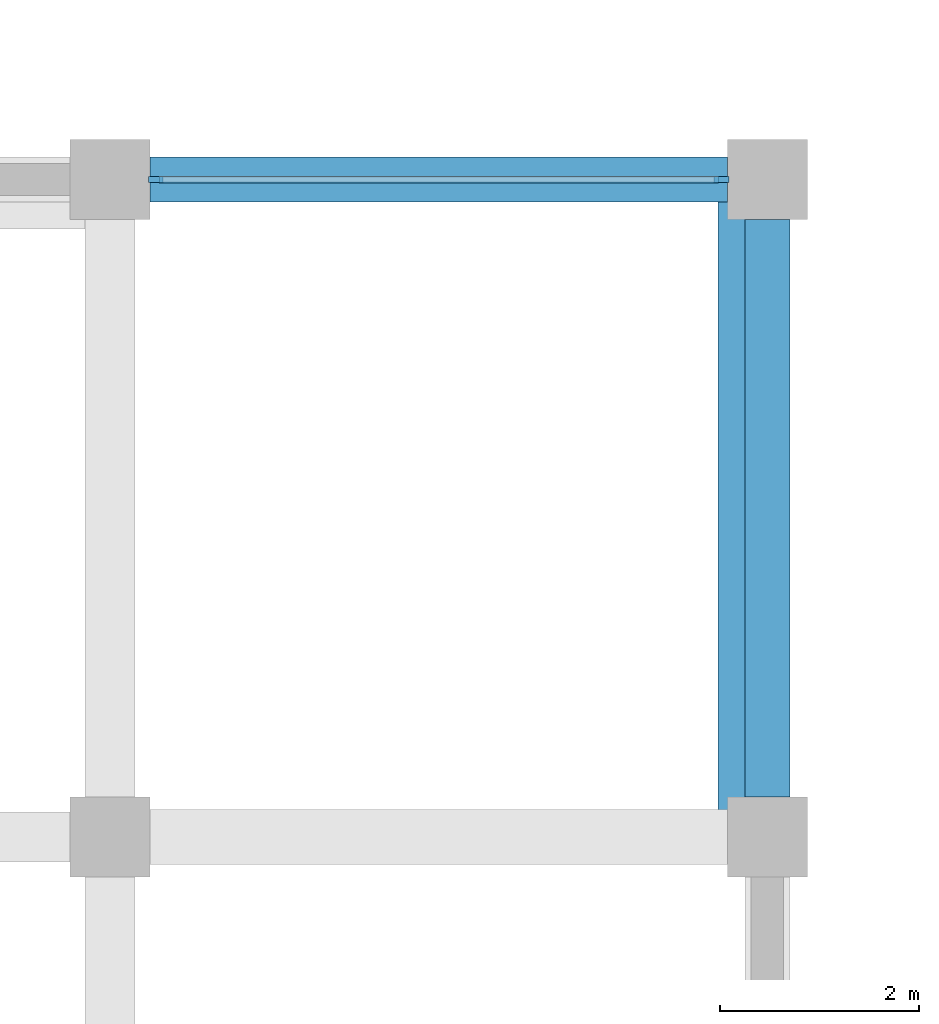
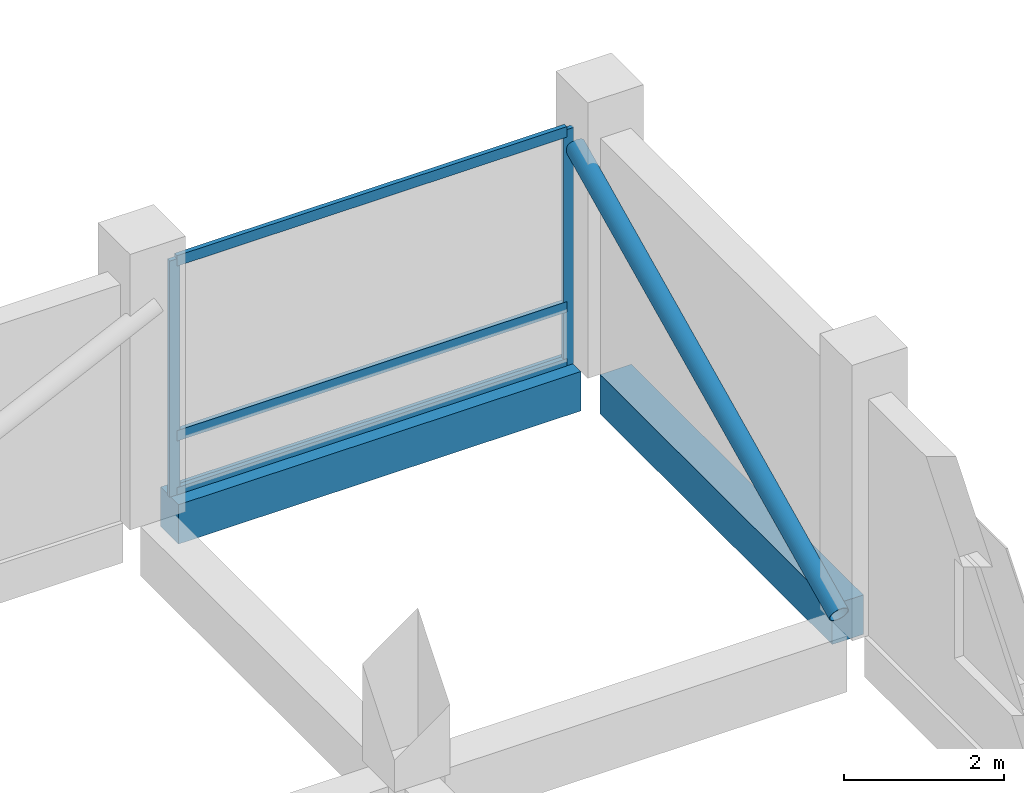
# One storey, part 6 of 30: 6 members, 2 beams, 1 element without a shape of its own.
"""IFC4 building model written with IfcOpenShell, lengths in metres."""

from ifc_helpers import new_model, si_unit, direction, frame, origin, origin_2d, place, context, subcontext, project, spatial, rectangle, hollow_circle, extrude, material, material_profile, profile_set, type_object, element, aggregate, save


model = new_model("IFC4")

# Units and contexts
model_context = context("Model", 3, precision=1e-05, world=origin(), true_north=direction((0.0, 1.0)))
body_context = subcontext(model_context, "Body", "Model", "MODEL_VIEW")
ifc_project = project(units=[si_unit("LENGTHUNIT", "METRE"), si_unit("AREAUNIT", "SQUARE_METRE"), si_unit("VOLUMEUNIT", "CUBIC_METRE"), si_unit("PLANEANGLEUNIT", "RADIAN"), si_unit("MASSUNIT", "GRAM", prefix="KILO")], contexts=[model_context])

# Site, building, storey
site_placement = place(None, origin())
site = spatial("IfcSite", under=ifc_project, at=site_placement, CompositionType="ELEMENT")
building_placement = place(site_placement, origin())
building = spatial("IfcBuilding", under=site, at=building_placement, Name="Rusizi Kubbe Research Institute", CompositionType="ELEMENT")
storey_placement = place(building_placement, frame((0.0, 0.0, 10.199951171875)))
storey = spatial("IfcBuildingStorey", under=building, at=storey_placement, Name="L02", CompositionType="ELEMENT", Elevation=10.199951171875)

# Beams
ifc_material_1 = material(Name="Concrete C40/50", Category="concrete")
ifc_material_profile_1 = material_profile(ifc_material_1, rectangle(XDim=0.449951171875, YDim=0.60009765625, at=origin_2d()), Name="RC450x600")
ifc_profile_set_1 = profile_set([ifc_material_profile_1], Name="Concrete C40/50")
beam_type = type_object("IfcBeamType", Name="BM-RC450x600", PredefinedType="SPANDREL", material=ifc_profile_set_1)
for number, where, z_axis, x_axis, name in (
    (1, (46.60009765625, 52.800048828125, -0.300048828125), (1.0, 0.0, 0.0), (0.0, 1.0, 0.0), "Grid Beam H L02 (7,8)"),
    (2, (52.800048828125, 46.60009765625, -0.300048828125), (0.0, 1.0, 0.0), (-1.0, 0.0, 0.0), "Grid Beam V L02 (8,7)"),
):
    element("IfcBeam", number, at=place(storey_placement, frame(where, z_axis=z_axis, x_axis=x_axis)), inside=storey, type_object=beam_type, Name=name, PredefinedType="SPANDREL", context=body_context, shape_type="SweptSolid", body=[
        extrude(rectangle(XDim=0.449951171875, YDim=0.60009765625, at=origin_2d()), origin(), (0.0, 0.0, 1.0), 5.7998046875),
    ])

# Member
ifc_material_2 = material(Name="Steel S355", Category="steel")
ifc_material_profile_2 = material_profile(ifc_material_2, hollow_circle(Radius=0.136474609375, WallThickness=0.010009765625, at=origin_2d()), Name="CHS 273.0x10.0")
ifc_profile_set_2 = profile_set([ifc_material_profile_2], Name="Steel S355")
member_type_1 = type_object("IfcMemberType", Name="MB-CHS273", PredefinedType="BRACE", material=ifc_profile_set_2)
member_1_placement = place(storey_placement, frame((52.43994140625, 46.199951171875, 0.150146484375), z_axis=(0.0, 0.902488705867, 0.430713519387), x_axis=(-1.0, 0.0, 0.0)))
element("IfcMember", 3, at=member_1_placement, inside=storey, type_object=member_type_1, Name="Atrium Frame Lateral Brace L02-E", PredefinedType="BRACE", context=body_context, shape_type="SweptSolid", body=[
    extrude(hollow_circle(Radius=0.136474609375, WallThickness=0.010009765625, at=origin_2d()), origin(), (0.0, 0.0, 1.0), 7.313232421875),
])

# Curtain wall, members
ifc_material_3 = material(Name="Thermally Broken Aluminium and Low-E Glazing", Category="aluminium")
curtain_wall_type = type_object("IfcCurtainWallType", Name="CW-18", PredefinedType="NOTDEFINED", material=ifc_material_3)
curtain_wall_placement = place(storey_placement, origin())
curtain_wall = element("IfcCurtainWall", 4, at=curtain_wall_placement, inside=storey, type_object=curtain_wall_type, Name="Unitised Facade Curtain Wall CW-L02-H-07-08", PredefinedType="NOTDEFINED")
ifc_material_4 = material(Name="Aluminium Alloy 6063-T6", Category="aluminium")
ifc_material_profile_3 = material_profile(ifc_material_4, rectangle(XDim=0.06005859375, YDim=0.14990234375, at=origin_2d()), Name="ALU-M 60x150")
ifc_profile_set_3 = profile_set([ifc_material_profile_3], Name="Aluminium Alloy 6063-T6")
member_type_2 = type_object("IfcMemberType", Name="ML-01", PredefinedType="MULLION", material=ifc_profile_set_3)
member_2_placement = place(storey_placement, frame((46.659912109375, 52.800048828125, 0.0), z_axis=(0.0, 0.0, 1.0), x_axis=(0.0, 1.0, 0.0)))
member_2 = element("IfcMember", 5, at=member_2_placement, type_object=member_type_2, Name="CW-18 mullion 1", PredefinedType="MULLION", context=body_context, shape_type="SweptSolid", body=[
    extrude(rectangle(XDim=0.06005859375, YDim=0.14990234375, at=origin_2d()), origin(), (0.0, 0.0, 1.0), 3.60009765625),
])
member_3_placement = place(storey_placement, frame((52.340087890625, 52.800048828125, 0.0), z_axis=(0.0, 0.0, 1.0), x_axis=(0.0, 1.0, 0.0)))
member_3 = element("IfcMember", 6, at=member_3_placement, type_object=member_type_2, Name="CW-18 mullion 2", PredefinedType="MULLION", context=body_context, shape_type="SweptSolid", body=[
    extrude(rectangle(XDim=0.06005859375, YDim=0.14990234375, at=origin_2d()), origin(), (0.0, 0.0, 1.0), 3.60009765625),
])
ifc_material_5 = material(Name="Aluminium Alloy 6063-T6", Category="aluminium")
ifc_material_profile_4 = material_profile(ifc_material_5, rectangle(XDim=0.06494140625, YDim=0.159912109375, at=origin_2d()), Name="ALU-T 65x160")
ifc_profile_set_4 = profile_set([ifc_material_profile_4], Name="Aluminium Alloy 6063-T6")
member_type_3 = type_object("IfcMemberType", Name="TR-03", PredefinedType="USERDEFINED", material=ifc_profile_set_4)
member_4_placement = place(storey_placement, frame((46.68994140625, 52.800048828125, 0.032470703125), z_axis=(1.0, 0.0, 0.0), x_axis=(0.0, 1.0, 0.0)))
member_4 = element("IfcMember", 7, at=member_4_placement, type_object=member_type_3, Name="CW-18 transom 1.1", ObjectType="TRANSOM", PredefinedType="USERDEFINED", context=body_context, shape_type="SweptSolid", body=[
    extrude(rectangle(XDim=0.06494140625, YDim=0.159912109375, at=origin_2d()), origin(), (0.0, 0.0, 1.0), 5.6201171875),
])
member_5_placement = place(storey_placement, frame((46.68994140625, 52.800048828125, 0.900146484375), z_axis=(1.0, 0.0, 0.0), x_axis=(0.0, 1.0, 0.0)))
member_5 = element("IfcMember", 8, at=member_5_placement, type_object=member_type_3, Name="CW-18 transom 1.2", ObjectType="TRANSOM", PredefinedType="USERDEFINED", context=body_context, shape_type="SweptSolid", body=[
    extrude(rectangle(XDim=0.06494140625, YDim=0.159912109375, at=origin_2d()), origin(), (0.0, 0.0, 1.0), 5.6201171875),
])
member_6_placement = place(storey_placement, frame((46.68994140625, 52.800048828125, 3.567626953125), z_axis=(1.0, 0.0, 0.0), x_axis=(0.0, 1.0, 0.0)))
member_6 = element("IfcMember", 9, at=member_6_placement, type_object=member_type_3, Name="CW-18 transom 1.3", ObjectType="TRANSOM", PredefinedType="USERDEFINED", context=body_context, shape_type="SweptSolid", body=[
    extrude(rectangle(XDim=0.06494140625, YDim=0.159912109375, at=origin_2d()), origin(), (0.0, 0.0, 1.0), 5.6201171875),
])
aggregate(curtain_wall, [member_2, member_3, member_4, member_5, member_6])

save(model, "model.ifc")
